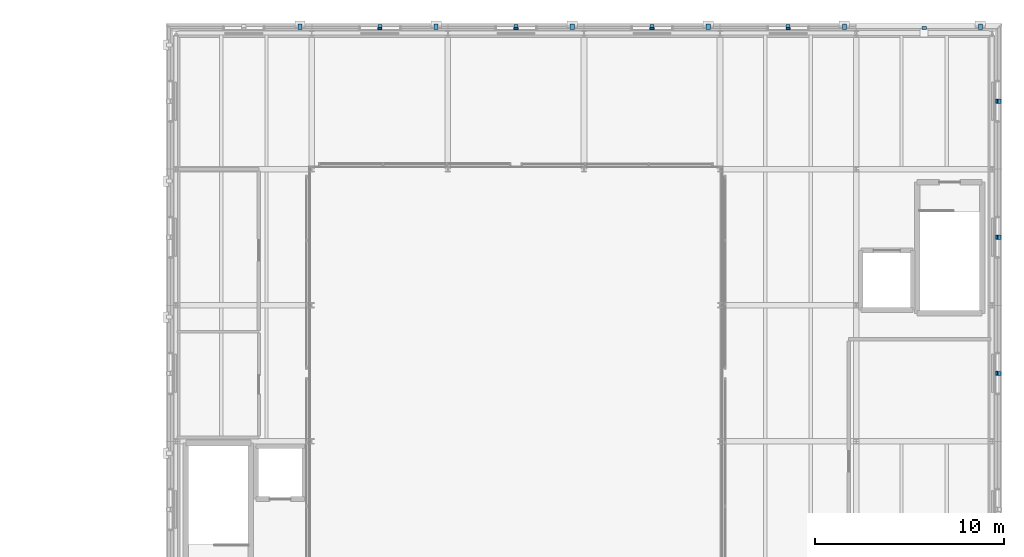
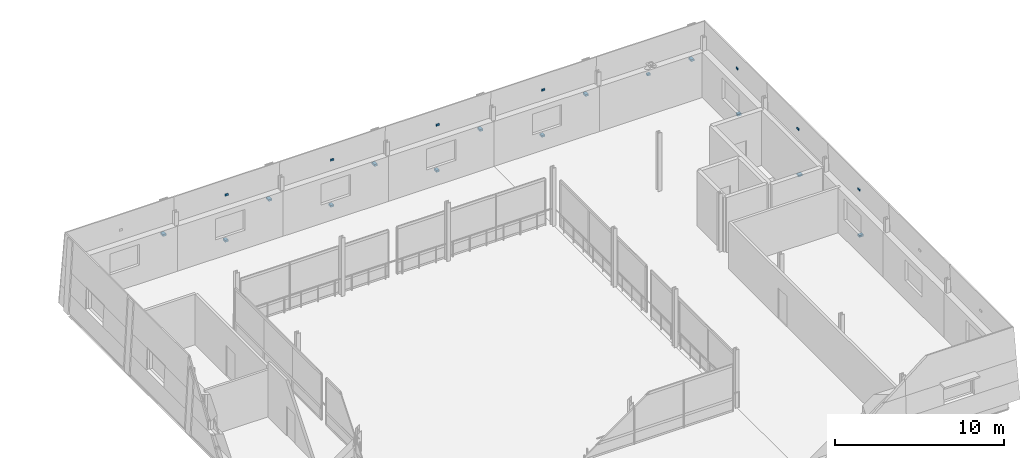
# One storey, part 90 of 115: 21 discrete accessories.
"""IFC4 building model written with IfcOpenShell, lengths in metres."""

from ifc_helpers import new_model, si_unit, direction, frame, origin, origin_2d, place, context, subcontext, project, spatial, rectangle, extrude, material, layer, layer_set, type_object, element, save


model = new_model("IFC4")

# Units and contexts
model_context = context("Model", 3, precision=1e-05, world=origin(), true_north=direction((0.0, 1.0)))
body_context = subcontext(model_context, "Body", "Model", "MODEL_VIEW")
ifc_project = project(units=[si_unit("LENGTHUNIT", "METRE"), si_unit("AREAUNIT", "SQUARE_METRE"), si_unit("VOLUMEUNIT", "CUBIC_METRE"), si_unit("PLANEANGLEUNIT", "RADIAN"), si_unit("MASSUNIT", "GRAM", prefix="KILO")], contexts=[model_context])

# Site, building, storey
site_placement = place(None, origin())
site = spatial("IfcSite", under=ifc_project, at=site_placement, CompositionType="ELEMENT")
building_placement = place(site_placement, origin())
building = spatial("IfcBuilding", under=site, at=building_placement, Name="Narikvali Park Central Library", CompositionType="ELEMENT")
storey_placement = place(building_placement, frame((0.0, 0.0, 10.199951171875)))
storey = spatial("IfcBuildingStorey", under=building, at=storey_placement, Name="L02", CompositionType="ELEMENT", Elevation=10.199951171875)

# Discrete accessories
ifc_material = material(Name="Brushed Stainless Steel S355", Category="steel")
ifc_layer = layer(ifc_material, 0.139892578125, Name="Brushed Stainless Steel S355")
ifc_layer_set = layer_set([ifc_layer], Name="Brushed Stainless Steel S355")
discrete_accessory_type = type_object("IfcDiscreteAccessoryType", Name="Cladding Stainless Tie-Back Corbel Bracket", PredefinedType="BRACKET", material=ifc_layer_set)
discrete_accessory_1_placement = place(storey_placement, frame((165.921630859375, 97.199951171875, 0.60498046875), z_axis=(0.0, 0.0, 1.0), x_axis=(1.0, 0.0, 0.0)))
element("IfcDiscreteAccessory", 1, at=discrete_accessory_1_placement, inside=storey, type_object=discrete_accessory_type, Name="Limestone Cladding Tie-Back Bracket V3-CLD-L02-E-B03-SP", PredefinedType="BRACKET", context=body_context, shape_type="SweptSolid", body=[
    extrude(rectangle(XDim=0.26318359375, YDim=0.219970703125, at=origin_2d()), origin(), (0.0, 0.0, 1.0), 0.139892578125),
])
discrete_accessory_2_placement = place(storey_placement, frame((165.8349609375, 97.199951171875, 3.93017578125), z_axis=(0.0, 0.0, 1.0), x_axis=(1.0, 0.0, 0.0)))
element("IfcDiscreteAccessory", 2, at=discrete_accessory_2_placement, inside=storey, type_object=discrete_accessory_type, Name="Limestone Cladding Tie-Back Bracket V3-CLD-L02-E-B03-LN", PredefinedType="BRACKET", context=body_context, shape_type="SweptSolid", body=[
    extrude(rectangle(XDim=0.08984375, YDim=0.219970703125, at=origin_2d()), origin(), (0.0, 0.0, 1.0), 0.139892578125),
])
discrete_accessory_3_placement = place(storey_placement, frame((165.921630859375, 104.39990234375, 0.60498046875), z_axis=(0.0, 0.0, 1.0), x_axis=(1.0, 0.0, 0.0)))
element("IfcDiscreteAccessory", 3, at=discrete_accessory_3_placement, inside=storey, type_object=discrete_accessory_type, Name="Limestone Cladding Tie-Back Bracket V3-CLD-L02-E-B04-SP", PredefinedType="BRACKET", context=body_context, shape_type="SweptSolid", body=[
    extrude(rectangle(XDim=0.26318359375, YDim=0.219970703125, at=origin_2d()), origin(), (0.0, 0.0, 1.0), 0.139892578125),
])
discrete_accessory_4_placement = place(storey_placement, frame((165.8349609375, 104.39990234375, 3.93017578125), z_axis=(0.0, 0.0, 1.0), x_axis=(1.0, 0.0, 0.0)))
element("IfcDiscreteAccessory", 4, at=discrete_accessory_4_placement, inside=storey, type_object=discrete_accessory_type, Name="Limestone Cladding Tie-Back Bracket V3-CLD-L02-E-B04-LN", PredefinedType="BRACKET", context=body_context, shape_type="SweptSolid", body=[
    extrude(rectangle(XDim=0.08984375, YDim=0.219970703125, at=origin_2d()), origin(), (0.0, 0.0, 1.0), 0.139892578125),
])
discrete_accessory_5_placement = place(storey_placement, frame((165.921630859375, 111.60009765625, 0.60498046875), z_axis=(0.0, 0.0, 1.0), x_axis=(1.0, 0.0, 0.0)))
element("IfcDiscreteAccessory", 5, at=discrete_accessory_5_placement, inside=storey, type_object=discrete_accessory_type, Name="Limestone Cladding Tie-Back Bracket V3-CLD-L02-E-B05-SP", PredefinedType="BRACKET", context=body_context, shape_type="SweptSolid", body=[
    extrude(rectangle(XDim=0.26318359375, YDim=0.219970703125, at=origin_2d()), origin(), (0.0, 0.0, 1.0), 0.139892578125),
])
discrete_accessory_6_placement = place(storey_placement, frame((165.8349609375, 111.60009765625, 3.93017578125), z_axis=(0.0, 0.0, 1.0), x_axis=(1.0, 0.0, 0.0)))
element("IfcDiscreteAccessory", 6, at=discrete_accessory_6_placement, inside=storey, type_object=discrete_accessory_type, Name="Limestone Cladding Tie-Back Bracket V3-CLD-L02-E-B05-LN", PredefinedType="BRACKET", context=body_context, shape_type="SweptSolid", body=[
    extrude(rectangle(XDim=0.08984375, YDim=0.219970703125, at=origin_2d()), origin(), (0.0, 0.0, 1.0), 0.139892578125),
])
discrete_accessory_7_placement = place(storey_placement, frame((164.97509765625, 115.5419921875, 2.5048828125), z_axis=(0.0, 0.0, 1.0), x_axis=(1.0, 0.0, 0.0)))
element("IfcDiscreteAccessory", 7, at=discrete_accessory_7_placement, inside=storey, type_object=discrete_accessory_type, Name="Limestone Cladding Tie-Back Bracket V3-PIL-L02-N-B01", PredefinedType="BRACKET", context=body_context, shape_type="SweptSolid", body=[
    extrude(rectangle(XDim=0.219970703125, YDim=0.30419921875, at=origin_2d()), origin(), (0.0, 0.0, 1.0), 0.139892578125),
])
discrete_accessory_8_placement = place(storey_placement, frame((162.0, 115.47216796875, 2.5048828125), z_axis=(0.0, 0.0, 1.0), x_axis=(1.0, 0.0, 0.0)))
element("IfcDiscreteAccessory", 8, at=discrete_accessory_8_placement, inside=storey, type_object=discrete_accessory_type, Name="Limestone Cladding Tie-Back Bracket V3-CLD-L02-N-B01-FULL", PredefinedType="BRACKET", context=body_context, shape_type="SweptSolid", body=[
    extrude(rectangle(XDim=0.219970703125, YDim=0.164306640625, at=origin_2d()), origin(), (0.0, 0.0, 1.0), 0.139892578125),
])
discrete_accessory_9_placement = place(storey_placement, frame((157.77490234375, 115.5419921875, 2.5048828125), z_axis=(0.0, 0.0, 1.0), x_axis=(1.0, 0.0, 0.0)))
element("IfcDiscreteAccessory", 9, at=discrete_accessory_9_placement, inside=storey, type_object=discrete_accessory_type, Name="Limestone Cladding Tie-Back Bracket V3-PIL-L02-N-B02", PredefinedType="BRACKET", context=body_context, shape_type="SweptSolid", body=[
    extrude(rectangle(XDim=0.219970703125, YDim=0.30419921875, at=origin_2d()), origin(), (0.0, 0.0, 1.0), 0.139892578125),
])
discrete_accessory_10_placement = place(storey_placement, frame((154.800048828125, 115.521484375, 0.60498046875), z_axis=(0.0, 0.0, 1.0), x_axis=(1.0, 0.0, 0.0)))
element("IfcDiscreteAccessory", 10, at=discrete_accessory_10_placement, inside=storey, type_object=discrete_accessory_type, Name="Limestone Cladding Tie-Back Bracket V3-CLD-L02-N-B02-SP", PredefinedType="BRACKET", context=body_context, shape_type="SweptSolid", body=[
    extrude(rectangle(XDim=0.219970703125, YDim=0.26318359375, at=origin_2d()), origin(), (0.0, 0.0, 1.0), 0.139892578125),
])
discrete_accessory_11_placement = place(storey_placement, frame((154.800048828125, 115.43505859375, 3.93017578125), z_axis=(0.0, 0.0, 1.0), x_axis=(1.0, 0.0, 0.0)))
element("IfcDiscreteAccessory", 11, at=discrete_accessory_11_placement, inside=storey, type_object=discrete_accessory_type, Name="Limestone Cladding Tie-Back Bracket V3-CLD-L02-N-B02-LN", PredefinedType="BRACKET", context=body_context, shape_type="SweptSolid", body=[
    extrude(rectangle(XDim=0.219970703125, YDim=0.08984375, at=origin_2d()), origin(), (0.0, 0.0, 1.0), 0.139892578125),
])
discrete_accessory_12_placement = place(storey_placement, frame((150.574951171875, 115.5419921875, 2.5048828125), z_axis=(0.0, 0.0, 1.0), x_axis=(1.0, 0.0, 0.0)))
element("IfcDiscreteAccessory", 12, at=discrete_accessory_12_placement, inside=storey, type_object=discrete_accessory_type, Name="Limestone Cladding Tie-Back Bracket V3-PIL-L02-N-B03", PredefinedType="BRACKET", context=body_context, shape_type="SweptSolid", body=[
    extrude(rectangle(XDim=0.219970703125, YDim=0.30419921875, at=origin_2d()), origin(), (0.0, 0.0, 1.0), 0.139892578125),
])
discrete_accessory_13_placement = place(storey_placement, frame((147.60009765625, 115.521484375, 0.60498046875), z_axis=(0.0, 0.0, 1.0), x_axis=(1.0, 0.0, 0.0)))
element("IfcDiscreteAccessory", 13, at=discrete_accessory_13_placement, inside=storey, type_object=discrete_accessory_type, Name="Limestone Cladding Tie-Back Bracket V3-CLD-L02-N-B03-SP", PredefinedType="BRACKET", context=body_context, shape_type="SweptSolid", body=[
    extrude(rectangle(XDim=0.219970703125, YDim=0.26318359375, at=origin_2d()), origin(), (0.0, 0.0, 1.0), 0.139892578125),
])
discrete_accessory_14_placement = place(storey_placement, frame((147.60009765625, 115.43505859375, 3.93017578125), z_axis=(0.0, 0.0, 1.0), x_axis=(1.0, 0.0, 0.0)))
element("IfcDiscreteAccessory", 14, at=discrete_accessory_14_placement, inside=storey, type_object=discrete_accessory_type, Name="Limestone Cladding Tie-Back Bracket V3-CLD-L02-N-B03-LN", PredefinedType="BRACKET", context=body_context, shape_type="SweptSolid", body=[
    extrude(rectangle(XDim=0.219970703125, YDim=0.08984375, at=origin_2d()), origin(), (0.0, 0.0, 1.0), 0.139892578125),
])
discrete_accessory_15_placement = place(storey_placement, frame((143.375, 115.5419921875, 2.5048828125), z_axis=(0.0, 0.0, 1.0), x_axis=(1.0, 0.0, 0.0)))
element("IfcDiscreteAccessory", 15, at=discrete_accessory_15_placement, inside=storey, type_object=discrete_accessory_type, Name="Limestone Cladding Tie-Back Bracket V3-PIL-L02-N-B04", PredefinedType="BRACKET", context=body_context, shape_type="SweptSolid", body=[
    extrude(rectangle(XDim=0.219970703125, YDim=0.30419921875, at=origin_2d()), origin(), (0.0, 0.0, 1.0), 0.139892578125),
])
discrete_accessory_16_placement = place(storey_placement, frame((140.39990234375, 115.521484375, 0.60498046875), z_axis=(0.0, 0.0, 1.0), x_axis=(1.0, 0.0, 0.0)))
element("IfcDiscreteAccessory", 16, at=discrete_accessory_16_placement, inside=storey, type_object=discrete_accessory_type, Name="Limestone Cladding Tie-Back Bracket V3-CLD-L02-N-B04-SP", PredefinedType="BRACKET", context=body_context, shape_type="SweptSolid", body=[
    extrude(rectangle(XDim=0.219970703125, YDim=0.26318359375, at=origin_2d()), origin(), (0.0, 0.0, 1.0), 0.139892578125),
])
discrete_accessory_17_placement = place(storey_placement, frame((140.39990234375, 115.43505859375, 3.93017578125), z_axis=(0.0, 0.0, 1.0), x_axis=(1.0, 0.0, 0.0)))
element("IfcDiscreteAccessory", 17, at=discrete_accessory_17_placement, inside=storey, type_object=discrete_accessory_type, Name="Limestone Cladding Tie-Back Bracket V3-CLD-L02-N-B04-LN", PredefinedType="BRACKET", context=body_context, shape_type="SweptSolid", body=[
    extrude(rectangle(XDim=0.219970703125, YDim=0.08984375, at=origin_2d()), origin(), (0.0, 0.0, 1.0), 0.139892578125),
])
discrete_accessory_18_placement = place(storey_placement, frame((136.175048828125, 115.5419921875, 2.5048828125), z_axis=(0.0, 0.0, 1.0), x_axis=(1.0, 0.0, 0.0)))
element("IfcDiscreteAccessory", 18, at=discrete_accessory_18_placement, inside=storey, type_object=discrete_accessory_type, Name="Limestone Cladding Tie-Back Bracket V3-PIL-L02-N-B05", PredefinedType="BRACKET", context=body_context, shape_type="SweptSolid", body=[
    extrude(rectangle(XDim=0.219970703125, YDim=0.30419921875, at=origin_2d()), origin(), (0.0, 0.0, 1.0), 0.139892578125),
])
discrete_accessory_19_placement = place(storey_placement, frame((133.199951171875, 115.521484375, 0.60498046875), z_axis=(0.0, 0.0, 1.0), x_axis=(1.0, 0.0, 0.0)))
element("IfcDiscreteAccessory", 19, at=discrete_accessory_19_placement, inside=storey, type_object=discrete_accessory_type, Name="Limestone Cladding Tie-Back Bracket V3-CLD-L02-N-B05-SP", PredefinedType="BRACKET", context=body_context, shape_type="SweptSolid", body=[
    extrude(rectangle(XDim=0.219970703125, YDim=0.26318359375, at=origin_2d()), origin(), (0.0, 0.0, 1.0), 0.139892578125),
])
discrete_accessory_20_placement = place(storey_placement, frame((133.199951171875, 115.43505859375, 3.93017578125), z_axis=(0.0, 0.0, 1.0), x_axis=(1.0, 0.0, 0.0)))
element("IfcDiscreteAccessory", 20, at=discrete_accessory_20_placement, inside=storey, type_object=discrete_accessory_type, Name="Limestone Cladding Tie-Back Bracket V3-CLD-L02-N-B05-LN", PredefinedType="BRACKET", context=body_context, shape_type="SweptSolid", body=[
    extrude(rectangle(XDim=0.219970703125, YDim=0.08984375, at=origin_2d()), origin(), (0.0, 0.0, 1.0), 0.139892578125),
])
discrete_accessory_21_placement = place(storey_placement, frame((128.97509765625, 115.5419921875, 2.5048828125), z_axis=(0.0, 0.0, 1.0), x_axis=(1.0, 0.0, 0.0)))
element("IfcDiscreteAccessory", 21, at=discrete_accessory_21_placement, inside=storey, type_object=discrete_accessory_type, Name="Limestone Cladding Tie-Back Bracket V3-PIL-L02-N-B06", PredefinedType="BRACKET", context=body_context, shape_type="SweptSolid", body=[
    extrude(rectangle(XDim=0.219970703125, YDim=0.30419921875, at=origin_2d()), origin(), (0.0, 0.0, 1.0), 0.139892578125),
])

save(model, "model.ifc")
